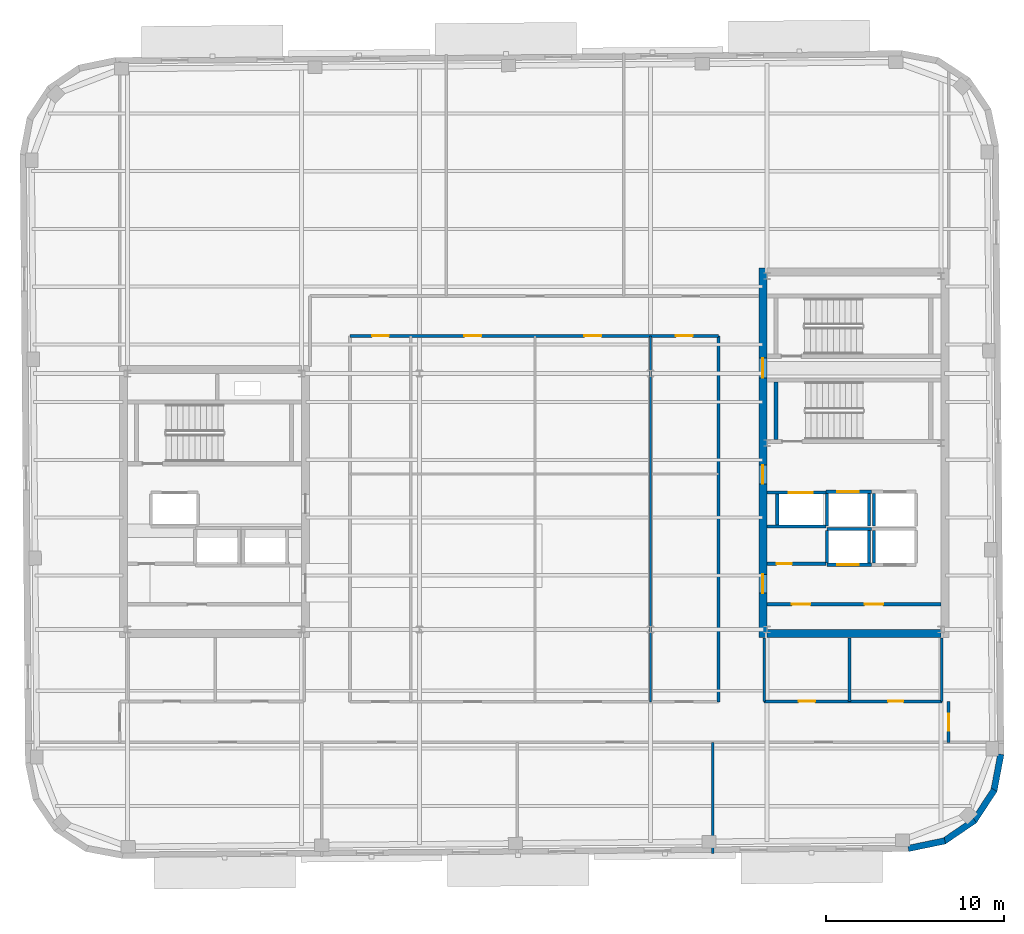
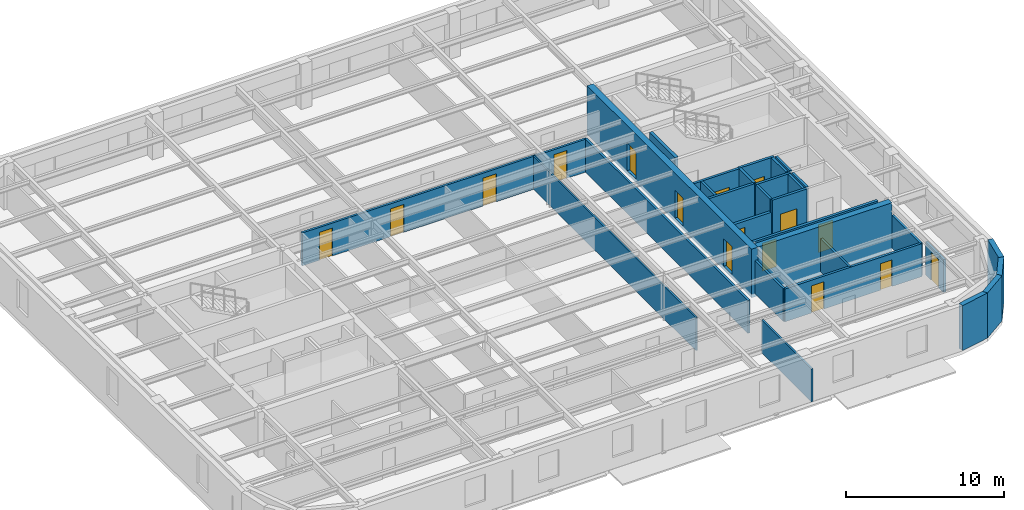
# One storey, part 8 of 14: 30 walls, 16 doors, 16 openings.
"""IFC4 building model written with IfcOpenShell, lengths in metres."""

from ifc_helpers import new_model, si_unit, direction, frame, frame_2d, origin, place, context, subcontext, project, spatial, rectangle, extrude, material, layer, layer_set, type_object, element, fill, save


model = new_model("IFC4")

# Units and contexts
model_context = context("Model", 3, precision=1e-05, world=origin(), true_north=direction((0.0, 1.0)))
body_context = subcontext(model_context, "Body", "Model", "MODEL_VIEW")
ifc_project = project(units=[si_unit("LENGTHUNIT", "METRE"), si_unit("AREAUNIT", "SQUARE_METRE"), si_unit("VOLUMEUNIT", "CUBIC_METRE"), si_unit("PLANEANGLEUNIT", "RADIAN"), si_unit("MASSUNIT", "GRAM", prefix="KILO")], contexts=[model_context])

# Site, building, storey
site_placement = place(None, origin())
site = spatial("IfcSite", under=ifc_project, at=site_placement, CompositionType="ELEMENT")
building_placement = place(site_placement, origin())
building = spatial("IfcBuilding", under=site, at=building_placement, Name="Kolvaren Arena Tower", CompositionType="ELEMENT")
storey_placement = place(building_placement, frame((0.0, 0.0, 289.89990234375)))
storey = spatial("IfcBuildingStorey", under=building, at=storey_placement, Name="L71", CompositionType="ELEMENT", Elevation=289.89990234375)

# Wall, openings, doors
ifc_material_1 = material(Name="Gypsum board acoustic assembly", Category="gypsum")
ifc_layer_1 = layer(ifc_material_1, 0.159912109375)
ifc_layer_set_1 = layer_set([ifc_layer_1], Name="Gypsum board acoustic assembly")
wall_type_1 = type_object("IfcWallType", Name="CORR-160", PredefinedType="PARTITIONING", material=ifc_layer_set_1)
wall_1_placement = place(storey_placement, frame((27.080078125, 35.97998046875, 0.0), z_axis=(0.0, 0.0, 1.0), x_axis=(1.0, 0.0, 0.0)))
wall_1 = element("IfcWall", 1, at=wall_1_placement, inside=storey, type_object=wall_type_1, Name="Interior Partition Wall (L71)", PredefinedType="PARTITIONING", context=body_context, shape_type="SweptSolid", body=[
    extrude(rectangle(XDim=20.739990234375, YDim=0.159912109375, at=frame_2d((10.3701171875, 0.0))), origin(), (0.0, 0.0, 1.0), 2.5400390625),
])
opening_1_placement = place(wall_1_placement, frame((1.2451171875, 0.0, 0.0)))
opening_1 = element("IfcOpeningElement", 2, at=opening_1_placement, cuts=wall_1, Name="Opening D05", PredefinedType="OPENING", context=body_context, shape_type="SweptSolid", body=[
    extrude(rectangle(XDim=0.949951171875, YDim=2.14990234375, at=frame_2d((0.47509765625, 1.074951171875))), frame((0.0, 0.08984375, 0.0), z_axis=(0.0, -1.0, 0.0), x_axis=(1.0, 0.0, 0.0)), (0.0, 0.0, 1.0), 0.179931640625),
])
opening_2_placement = place(wall_1_placement, frame((6.445068359375, 0.0, 0.0)))
opening_2 = element("IfcOpeningElement", 3, at=opening_2_placement, cuts=wall_1, Name="Opening D05", PredefinedType="OPENING", context=body_context, shape_type="SweptSolid", body=[
    extrude(rectangle(XDim=0.949951171875, YDim=2.14990234375, at=frame_2d((0.47509765625, 1.074951171875))), frame((0.0, 0.08984375, 0.0), z_axis=(0.0, -1.0, 0.0), x_axis=(1.0, 0.0, 0.0)), (0.0, 0.0, 1.0), 0.179931640625),
])
opening_3_placement = place(wall_1_placement, frame((13.195068359375, 0.0, 0.0)))
opening_3 = element("IfcOpeningElement", 4, at=opening_3_placement, cuts=wall_1, Name="Opening D05", PredefinedType="OPENING", context=body_context, shape_type="SweptSolid", body=[
    extrude(rectangle(XDim=0.949951171875, YDim=2.14990234375, at=frame_2d((0.47509765625, 1.074951171875))), frame((0.0, 0.08984375, 0.0), z_axis=(0.0, -1.0, 0.0), x_axis=(1.0, 0.0, 0.0)), (0.0, 0.0, 1.0), 0.179931640625),
])
opening_4_placement = place(wall_1_placement, frame((18.344970703125, 0.0, 0.0)))
opening_4 = element("IfcOpeningElement", 5, at=opening_4_placement, cuts=wall_1, Name="Opening D05", PredefinedType="OPENING", context=body_context, shape_type="SweptSolid", body=[
    extrude(rectangle(XDim=0.949951171875, YDim=2.14990234375, at=frame_2d((0.47509765625, 1.074951171875))), frame((0.0, 0.08984375, 0.0), z_axis=(0.0, -1.0, 0.0), x_axis=(1.0, 0.0, 0.0)), (0.0, 0.0, 1.0), 0.179931640625),
])
ifc_material_2 = material(Name="Solid-core oak acoustic office door", Category="wood")
door_type_1 = type_object("IfcDoorType", Name="DOOR-OF-095", OperationType="NOTDEFINED", PredefinedType="DOOR", material=ifc_material_2)
door_1_placement = place(opening_1_placement, origin())
door_1 = element("IfcDoor", 6, at=door_1_placement, inside=storey, type_object=door_type_1, Name="Open Plan Office Door (L71)", OperationType="SINGLE_SWING_RIGHT", OverallHeight=2.14990234375, OverallWidth=0.949951171875, PredefinedType="DOOR", context=body_context, shape_type="SweptSolid", body=[
    extrude(rectangle(XDim=0.949951171875, YDim=2.14990234375, at=frame_2d((0.47509765625, 1.074951171875))), frame((0.0, 0.02490234375, 0.0), z_axis=(0.0, -1.0, 0.0), x_axis=(1.0, 0.0, 0.0)), (0.0, 0.0, 1.0), 0.050048828125),
])
fill(opening_1, door_1)
door_2_placement = place(opening_2_placement, origin())
door_2 = element("IfcDoor", 7, at=door_2_placement, inside=storey, type_object=door_type_1, Name="Design Studio Door (L71)", OperationType="SINGLE_SWING_RIGHT", OverallHeight=2.14990234375, OverallWidth=0.949951171875, PredefinedType="DOOR", context=body_context, shape_type="SweptSolid", body=[
    extrude(rectangle(XDim=0.949951171875, YDim=2.14990234375, at=frame_2d((0.47509765625, 1.074951171875))), frame((0.0, 0.02490234375, 0.0), z_axis=(0.0, -1.0, 0.0), x_axis=(1.0, 0.0, 0.0)), (0.0, 0.0, 1.0), 0.050048828125),
])
fill(opening_2, door_2)
door_3_placement = place(opening_3_placement, origin())
door_3 = element("IfcDoor", 8, at=door_3_placement, inside=storey, type_object=door_type_1, Name="Breakout Pantry and Kitchen Door (L71)", OperationType="SINGLE_SWING_RIGHT", OverallHeight=2.14990234375, OverallWidth=0.949951171875, PredefinedType="DOOR", context=body_context, shape_type="SweptSolid", body=[
    extrude(rectangle(XDim=0.949951171875, YDim=2.14990234375, at=frame_2d((0.47509765625, 1.074951171875))), frame((0.0, 0.02490234375, 0.0), z_axis=(0.0, -1.0, 0.0), x_axis=(1.0, 0.0, 0.0)), (0.0, 0.0, 1.0), 0.050048828125),
])
fill(opening_3, door_3)
door_4_placement = place(opening_4_placement, origin())
door_4 = element("IfcDoor", 9, at=door_4_placement, inside=storey, type_object=door_type_1, Name="Open Plan Office Door (L71)", OperationType="SINGLE_SWING_RIGHT", OverallHeight=2.14990234375, OverallWidth=0.949951171875, PredefinedType="DOOR", context=body_context, shape_type="SweptSolid", body=[
    extrude(rectangle(XDim=0.949951171875, YDim=2.14990234375, at=frame_2d((0.47509765625, 1.074951171875))), frame((0.0, 0.02490234375, 0.0), z_axis=(0.0, -1.0, 0.0), x_axis=(1.0, 0.0, 0.0)), (0.0, 0.0, 1.0), 0.050048828125),
])
fill(opening_4, door_4)

# Wall
wall_2_placement = place(storey_placement, frame((47.820068359375, 15.3798828125, 0.0), z_axis=(0.0, 0.0, 1.0), x_axis=(0.0, 1.0, 0.0)))
element("IfcWall", 10, at=wall_2_placement, inside=storey, type_object=wall_type_1, Name="Interior Partition Wall (L71)", PredefinedType="PARTITIONING", context=body_context, shape_type="SweptSolid", body=[
    extrude(rectangle(XDim=20.60009765625, YDim=0.159912109375, at=frame_2d((10.300048828125, 0.0))), origin(), (0.0, 0.0, 1.0), 2.5400390625),
])

# Wall, opening, door
wall_3_placement = place(storey_placement, frame((60.780029296875, 13.10009765625, 0.0), z_axis=(0.0, 0.0, 1.0), x_axis=(0.0, 1.0, 0.0)))
wall_3 = element("IfcWall", 11, at=wall_3_placement, inside=storey, type_object=wall_type_1, Name="Interior Partition Wall (L71)", PredefinedType="PARTITIONING", context=body_context, shape_type="SweptSolid", body=[
    extrude(rectangle(XDim=2.2998046875, YDim=0.159912109375, at=frame_2d((1.14990234375, 0.0))), origin(), (0.0, 0.0, 1.0), 2.5400390625),
])
opening_5_placement = place(wall_3_placement, frame((0.64990234375, 0.0, 0.0)))
opening_5 = element("IfcOpeningElement", 12, at=opening_5_placement, cuts=wall_3, Name="Opening D05", PredefinedType="OPENING", context=body_context, shape_type="SweptSolid", body=[
    extrude(rectangle(XDim=0.949951171875, YDim=2.14990234375, at=frame_2d((0.47509765625, 1.074951171875))), frame((0.0, 0.08984375, 0.0), z_axis=(0.0, -1.0, 0.0), x_axis=(1.0, 0.0, 0.0)), (0.0, 0.0, 1.0), 0.179931640625),
])
door_5_placement = place(opening_5_placement, origin())
door_5 = element("IfcDoor", 13, at=door_5_placement, inside=storey, type_object=door_type_1, Name="East Wing Studio Door (L71)", OperationType="SINGLE_SWING_RIGHT", OverallHeight=2.14990234375, OverallWidth=0.949951171875, PredefinedType="DOOR", context=body_context, shape_type="SweptSolid", body=[
    extrude(rectangle(XDim=0.949951171875, YDim=2.14990234375, at=frame_2d((0.47509765625, 1.074951171875))), frame((0.0, 0.02490234375, 0.0), z_axis=(0.0, -1.0, 0.0), x_axis=(1.0, 0.0, 0.0)), (0.0, 0.0, 1.0), 0.050048828125),
])
fill(opening_5, door_5)

# Wall, openings, doors
ifc_material_3 = material(Name="Concrete 55 MPa", Category="concrete")
ifc_layer_2 = layer(ifc_material_3, 0.449951171875)
ifc_layer_set_2 = layer_set([ifc_layer_2], Name="Concrete 55 MPa")
wall_type_2 = type_object("IfcWallType", Name="CWALL-450", PredefinedType="SHEAR", material=ifc_layer_set_2)
wall_4_placement = place(storey_placement, frame((50.324951171875, 19.0, -0.27001953125), z_axis=(0.0, 0.0, 1.0), x_axis=(0.0, 1.0, 0.0)))
wall_4 = element("IfcWall", 14, at=wall_4_placement, inside=storey, type_object=wall_type_2, Name="Core Shear Wall EC-WEST (L71)", PredefinedType="SHEAR", context=body_context, shape_type="SweptSolid", body=[
    extrude(rectangle(XDim=20.800048828125, YDim=0.449951171875, at=frame_2d((10.39990234375, 0.0))), origin(), (0.0, 0.0, 1.0), 3.75),
])
opening_6_placement = place(wall_4_placement, frame((2.5, 0.0, 0.27001953125)))
opening_6 = element("IfcOpeningElement", 15, at=opening_6_placement, cuts=wall_4, Name="Opening D04", PredefinedType="OPENING", context=body_context, shape_type="SweptSolid", body=[
    extrude(rectangle(XDim=1.050048828125, YDim=2.14990234375, at=frame_2d((0.52490234375, 1.074951171875))), frame((0.0, 0.23486328125, 0.0), z_axis=(0.0, -1.0, 0.0), x_axis=(1.0, 0.0, 0.0)), (0.0, 0.0, 1.0), 0.469970703125),
])
opening_7_placement = place(wall_4_placement, frame((8.64990234375, 0.0, 0.27001953125)))
opening_7 = element("IfcOpeningElement", 16, at=opening_7_placement, cuts=wall_4, Name="Opening D04", PredefinedType="OPENING", context=body_context, shape_type="SweptSolid", body=[
    extrude(rectangle(XDim=1.050048828125, YDim=2.14990234375, at=frame_2d((0.52490234375, 1.074951171875))), frame((0.0, 0.23486328125, 0.0), z_axis=(0.0, -1.0, 0.0), x_axis=(1.0, 0.0, 0.0)), (0.0, 0.0, 1.0), 0.469970703125),
])
opening_8_placement = place(wall_4_placement, frame((14.6201171875, 0.0, 0.27001953125)))
opening_8 = element("IfcOpeningElement", 17, at=opening_8_placement, cuts=wall_4, Name="Opening D03", PredefinedType="OPENING", context=body_context, shape_type="SweptSolid", body=[
    extrude(rectangle(XDim=1.10009765625, YDim=2.14990234375, at=frame_2d((0.550048828125, 1.074951171875))), frame((0.0, 0.23486328125, 0.0), z_axis=(0.0, -1.0, 0.0), x_axis=(1.0, 0.0, 0.0)), (0.0, 0.0, 1.0), 0.469970703125),
])
ifc_material_4 = material(Name="Fire-rated steel lobby door", Category="steel")
door_type_2 = type_object("IfcDoorType", Name="DOOR-FF-105", OperationType="NOTDEFINED", PredefinedType="DOOR", material=ifc_material_4)
door_6_placement = place(opening_6_placement, origin())
door_6 = element("IfcDoor", 18, at=door_6_placement, inside=storey, type_object=door_type_2, Name="East Lift Lobby Fire Door (L71)", OperationType="SINGLE_SWING_RIGHT", OverallHeight=2.14990234375, OverallWidth=1.050048828125, PredefinedType="DOOR", context=body_context, shape_type="SweptSolid", body=[
    extrude(rectangle(XDim=1.050048828125, YDim=2.14990234375, at=frame_2d((0.52490234375, 1.074951171875))), frame((0.0, 0.02490234375, 0.0), z_axis=(0.0, -1.0, 0.0), x_axis=(1.0, 0.0, 0.0)), (0.0, 0.0, 1.0), 0.050048828125),
])
fill(opening_6, door_6)
door_7_placement = place(opening_7_placement, origin())
door_7 = element("IfcDoor", 19, at=door_7_placement, inside=storey, type_object=door_type_2, Name="East Firefighter Vestibule Door (L71)", OperationType="SINGLE_SWING_LEFT", OverallHeight=2.14990234375, OverallWidth=1.050048828125, PredefinedType="DOOR", context=body_context, shape_type="SweptSolid", body=[
    extrude(rectangle(XDim=1.050048828125, YDim=2.14990234375, at=frame_2d((0.52490234375, 1.074951171875))), frame((0.0, 0.02490234375, 0.0), z_axis=(0.0, -1.0, 0.0), x_axis=(1.0, 0.0, 0.0)), (0.0, 0.0, 1.0), 0.050048828125),
])
fill(opening_7, door_7)
ifc_material_5 = material(Name="Fire-rated steel exit stair door", Category="steel")
door_type_3 = type_object("IfcDoorType", Name="DOOR-ST-110", OperationType="NOTDEFINED", PredefinedType="DOOR", material=ifc_material_5)
door_8_placement = place(opening_8_placement, origin())
door_8 = element("IfcDoor", 20, at=door_8_placement, inside=storey, type_object=door_type_3, Name="Stair ST-E2 Vestibule Fire Door (L71)", OperationType="SINGLE_SWING_LEFT", OverallHeight=2.14990234375, OverallWidth=1.10009765625, PredefinedType="DOOR", context=body_context, shape_type="SweptSolid", body=[
    extrude(rectangle(XDim=1.10009765625, YDim=2.14990234375, at=frame_2d((0.550048828125, 1.074951171875))), frame((0.0, 0.02490234375, 0.0), z_axis=(0.0, -1.0, 0.0), x_axis=(1.0, 0.0, 0.0)), (0.0, 0.0, 1.0), 0.050048828125),
])
fill(opening_8, door_8)

# Walls
wall_5_placement = place(storey_placement, frame((50.550048828125, 19.22509765625, -0.27001953125), z_axis=(0.0, 0.0, 1.0), x_axis=(1.0, 0.0, 0.0)))
element("IfcWall", 21, at=wall_5_placement, inside=storey, type_object=wall_type_2, Name="Core Shear Wall EC-SOUTH (L71)", PredefinedType="SHEAR", context=body_context, shape_type="SweptSolid", body=[
    extrude(rectangle(XDim=9.800048828125, YDim=0.449951171875, at=frame_2d((4.89990234375, 0.0))), origin(), (0.0, 0.0, 1.0), 3.75),
])
ifc_material_6 = material(Name="Precast concrete C50/60", Category="concrete")
ifc_layer_3 = layer(ifc_material_6, 0.360107421875)
ifc_layer_set_3 = layer_set([ifc_layer_3], Name="Precast concrete C50/60")
wall_type_3 = type_object("IfcWallType", Name="EXT-PIER2", PredefinedType="SOLIDWALL", material=ifc_layer_set_3)
wall_6_placement = place(storey_placement, frame((60.572265625, 7.54931640625, 0.0), z_axis=(0.0, 0.0, 1.0), x_axis=(-0.979059388908, -0.203574833883, 0.0)))
element("IfcWall", 22, at=wall_6_placement, inside=storey, type_object=wall_type_3, Name="Exterior Precast Masonry-Frame Wall (L71)", PredefinedType="SOLIDWALL", context=body_context, shape_type="SweptSolid", body=[
    extrude(rectangle(XDim=2.107177734375, YDim=0.360107421875, at=frame_2d((1.0537109375, 0.0))), origin(), (0.0, 0.0, 1.0), 3.47998046875),
])
for number, where, z_axis, x_axis, name in (
    (23, (62.2490234375, 8.707763671875, 0.0), (0.0, 0.0, 1.0), (-0.826572866302, -0.562829722645, 0.0), "Exterior Precast Masonry-Frame Wall (L71)"),
    (24, (63.35498046875, 10.419921875, 0.0), (0.0, 0.0, 1.0), (-0.54818559406, -0.836356714844, 0.0), "Exterior Precast Masonry-Frame Wall (L71)"),
    (25, (63.7216796875, 12.4248046875, 0.0), (0.0, 0.0, 1.0), (-0.186435855703, -0.98246713518, 0.0), "Exterior Precast Masonry-Frame Wall (L71)"),
):
    element("IfcWall", number, at=place(storey_placement, frame(where, z_axis=z_axis, x_axis=x_axis)), inside=storey, type_object=wall_type_3, Name=name, PredefinedType="SOLIDWALL", context=body_context, shape_type="SweptSolid", body=[
        extrude(rectangle(XDim=2.10693359375, YDim=0.360107421875, at=frame_2d((1.053466796875, 0.0))), origin(), (0.0, 0.0, 1.0), 3.47998046875),
    ])

# Wall, openings, doors
ifc_material_7 = material(Name="Concrete 40 MPa", Category="concrete")
ifc_layer_4 = layer(ifc_material_7, 0.199951171875)
ifc_layer_set_4 = layer_set([ifc_layer_4], Name="Concrete 40 MPa")
wall_type_4 = type_object("IfcWallType", Name="LOBBY-200", PredefinedType="SOLIDWALL", material=ifc_layer_set_4)
wall_7_placement = place(storey_placement, frame((50.550048828125, 20.8798828125, 0.0), z_axis=(0.0, 0.0, 1.0), x_axis=(1.0, 0.0, 0.0)))
wall_7 = element("IfcWall", 26, at=wall_7_placement, inside=storey, type_object=wall_type_4, Name="Core Shaft Wall (L71)", PredefinedType="SOLIDWALL", context=body_context, shape_type="SweptSolid", body=[
    extrude(rectangle(XDim=9.800048828125, YDim=0.199951171875, at=frame_2d((4.89990234375, 0.0))), origin(), (0.0, 0.0, 1.0), 2.5400390625),
])
opening_9_placement = place(wall_7_placement, frame((1.39990234375, 0.0, 0.0)))
opening_9 = element("IfcOpeningElement", 27, at=opening_9_placement, cuts=wall_7, Name="Opening D04", PredefinedType="OPENING", context=body_context, shape_type="SweptSolid", body=[
    extrude(rectangle(XDim=1.050048828125, YDim=2.14990234375, at=frame_2d((0.52490234375, 1.074951171875))), frame((0.0, 0.10986328125, 0.0), z_axis=(0.0, -1.0, 0.0), x_axis=(1.0, 0.0, 0.0)), (0.0, 0.0, 1.0), 0.219970703125),
])
opening_10_placement = place(wall_7_placement, frame((5.5, 0.0, 0.0)))
opening_10 = element("IfcOpeningElement", 28, at=opening_10_placement, cuts=wall_7, Name="Opening D04", PredefinedType="OPENING", context=body_context, shape_type="SweptSolid", body=[
    extrude(rectangle(XDim=1.050048828125, YDim=2.14990234375, at=frame_2d((0.52490234375, 1.074951171875))), frame((0.0, 0.10986328125, 0.0), z_axis=(0.0, -1.0, 0.0), x_axis=(1.0, 0.0, 0.0)), (0.0, 0.0, 1.0), 0.219970703125),
])
door_9_placement = place(opening_9_placement, origin())
door_9 = element("IfcDoor", 29, at=door_9_placement, inside=storey, type_object=door_type_2, Name="East Telecom Room Fire Door (L71)", OperationType="SINGLE_SWING_RIGHT", OverallHeight=2.14990234375, OverallWidth=1.050048828125, PredefinedType="DOOR", context=body_context, shape_type="SweptSolid", body=[
    extrude(rectangle(XDim=1.050048828125, YDim=2.14990234375, at=frame_2d((0.52490234375, 1.074951171875))), frame((0.0, 0.02490234375, 0.0), z_axis=(0.0, -1.0, 0.0), x_axis=(1.0, 0.0, 0.0)), (0.0, 0.0, 1.0), 0.050048828125),
])
fill(opening_9, door_9)
door_10_placement = place(opening_10_placement, origin())
door_10 = element("IfcDoor", 30, at=door_10_placement, inside=storey, type_object=door_type_2, Name="East Records Room Fire Door (L71)", OperationType="SINGLE_SWING_LEFT", OverallHeight=2.14990234375, OverallWidth=1.050048828125, PredefinedType="DOOR", context=body_context, shape_type="SweptSolid", body=[
    extrude(rectangle(XDim=1.050048828125, YDim=2.14990234375, at=frame_2d((0.52490234375, 1.074951171875))), frame((0.0, 0.02490234375, 0.0), z_axis=(0.0, -1.0, 0.0), x_axis=(1.0, 0.0, 0.0)), (0.0, 0.0, 1.0), 0.050048828125),
])
fill(opening_10, door_10)

# Wall, opening, door
wall_8_placement = place(storey_placement, frame((50.550048828125, 23.159912109375, 0.0), z_axis=(0.0, 0.0, 1.0), x_axis=(1.0, 0.0, 0.0)))
wall_8 = element("IfcWall", 31, at=wall_8_placement, inside=storey, type_object=wall_type_4, Name="Core Shaft Wall (L71)", PredefinedType="SOLIDWALL", context=body_context, shape_type="SweptSolid", body=[
    extrude(rectangle(XDim=3.329833984375, YDim=0.199951171875, at=frame_2d((1.6650390625, 0.0))), origin(), (0.0, 0.0, 1.0), 2.5400390625),
])
opening_11_placement = place(wall_8_placement, frame((0.550048828125, 0.0, 0.0)))
opening_11 = element("IfcOpeningElement", 32, at=opening_11_placement, cuts=wall_8, Name="Opening D09", PredefinedType="OPENING", context=body_context, shape_type="SweptSolid", body=[
    extrude(rectangle(XDim=0.860107421875, YDim=2.050048828125, at=frame_2d((0.43017578125, 1.02490234375))), frame((0.0, 0.10986328125, 0.0), z_axis=(0.0, -1.0, 0.0), x_axis=(1.0, 0.0, 0.0)), (0.0, 0.0, 1.0), 0.219970703125),
])
ifc_material_8 = material(Name="Fire-rated steel riser access door", Category="steel")
door_type_4 = type_object("IfcDoorType", Name="DOOR-RS-086", OperationType="NOTDEFINED", PredefinedType="DOOR", material=ifc_material_8)
door_11_placement = place(opening_11_placement, origin())
door_11 = element("IfcDoor", 33, at=door_11_placement, inside=storey, type_object=door_type_4, Name="East AV Riser Closet Door (L71)", OperationType="SINGLE_SWING_LEFT", OverallHeight=2.050048828125, OverallWidth=0.860107421875, PredefinedType="DOOR", context=body_context, shape_type="SweptSolid", body=[
    extrude(rectangle(XDim=0.860107421875, YDim=2.050048828125, at=frame_2d((0.43017578125, 1.02490234375))), frame((0.0, 0.02490234375, 0.0), z_axis=(0.0, -1.0, 0.0), x_axis=(1.0, 0.0, 0.0)), (0.0, 0.0, 1.0), 0.050048828125),
])
fill(opening_11, door_11)

# Walls
ifc_material_9 = material(Name="Gypsum board partition assembly", Category="gypsum")
ifc_layer_5 = layer(ifc_material_9, 0.114990234375)
ifc_layer_set_5 = layer_set([ifc_layer_5], Name="Gypsum board partition assembly")
wall_type_5 = type_object("IfcWallType", Name="PART-115", PredefinedType="PARTITIONING", material=ifc_layer_set_5)
wall_9_placement = place(storey_placement, frame((44.0, 15.3798828125, 0.0), z_axis=(0.0, 0.0, 1.0), x_axis=(0.0, 1.0, 0.0)))
element("IfcWall", 34, at=wall_9_placement, inside=storey, type_object=wall_type_5, Name="Interior Partition Wall (L71)", PredefinedType="PARTITIONING", context=body_context, shape_type="SweptSolid", body=[
    extrude(rectangle(XDim=20.60009765625, YDim=0.114990234375, at=frame_2d((10.300048828125, 0.0))), origin(), (0.0, 0.0, 1.0), 2.5400390625),
])
ifc_layer_6 = layer(ifc_material_9, 0.135009765625)
ifc_layer_set_6 = layer_set([ifc_layer_6], Name="Gypsum board partition assembly")
wall_type_6 = type_object("IfcWallType", Name="PART-135", PredefinedType="PARTITIONING", material=ifc_layer_set_6)
wall_10_placement = place(storey_placement, frame((47.5, 6.847900390625, 0.0), z_axis=(0.0, 0.0, 1.0), x_axis=(0.0, 1.0, 0.0)))
element("IfcWall", 35, at=wall_10_placement, inside=storey, type_object=wall_type_6, Name="Interior Partition Wall (L71)", PredefinedType="PARTITIONING", context=body_context, shape_type="SweptSolid", body=[
    extrude(rectangle(XDim=6.252197265625, YDim=0.135009765625, at=frame_2d((3.1259765625, 0.0))), origin(), (0.0, 0.0, 1.0), 2.5400390625),
])
ifc_material_10 = material(Name="Concrete 45 MPa", Category="concrete")
ifc_layer_7 = layer(ifc_material_10, 0.25)
ifc_layer_set_7 = layer_set([ifc_layer_7], Name="Concrete 45 MPa")
wall_type_7 = type_object("IfcWallType", Name="SHAFT-250", PredefinedType="SOLIDWALL", material=ifc_layer_set_7)
wall_11_placement = place(storey_placement, frame((51.06005859375, 30.14990234375, 0.0), z_axis=(0.0, 0.0, 1.0), x_axis=(0.0, 1.0, 0.0)))
element("IfcWall", 36, at=wall_11_placement, inside=storey, type_object=wall_type_7, Name="Core Shaft Wall (L71)", PredefinedType="SOLIDWALL", context=body_context, shape_type="SweptSolid", body=[
    extrude(rectangle(XDim=3.22998046875, YDim=0.239990234375, at=frame_2d((1.614990234375, 0.0))), origin(), (0.0, 0.0, 1.0), 3.47998046875),
])
wall_12_placement = place(storey_placement, frame((53.93994140625, 25.10498046875, 0.0), z_axis=(0.0, 0.0, 1.0), x_axis=(1.0, 0.0, 0.0)))
element("IfcWall", 37, at=wall_12_placement, inside=storey, type_object=wall_type_7, Name="Core Shaft Wall (L71)", PredefinedType="SOLIDWALL", context=body_context, shape_type="SweptSolid", body=[
    extrude(rectangle(XDim=2.5, YDim=0.179931640625, at=frame_2d((1.25, 0.0))), origin(), (0.0, 0.0, 1.0), 3.47998046875),
])

# Wall, opening, door
wall_13_placement = place(storey_placement, frame((53.93994140625, 23.094970703125, 0.0), z_axis=(0.0, 0.0, 1.0), x_axis=(1.0, 0.0, 0.0)))
wall_13 = element("IfcWall", 38, at=wall_13_placement, inside=storey, type_object=wall_type_7, Name="Core Shaft Wall (L71)", PredefinedType="SOLIDWALL", context=body_context, shape_type="SweptSolid", body=[
    extrude(rectangle(XDim=2.5, YDim=0.179931640625, at=frame_2d((1.25, 0.0))), origin(), (0.0, 0.0, 1.0), 3.47998046875),
])
opening_12_placement = place(wall_13_placement, frame((0.580078125, 0.0, 0.0)))
opening_12 = element("IfcOpeningElement", 39, at=opening_12_placement, cuts=wall_13, Name="Opening LD1", PredefinedType="OPENING", context=body_context, shape_type="SweptSolid", body=[
    extrude(rectangle(XDim=1.199951171875, YDim=2.199951171875, at=frame_2d((0.60009765625, 1.10009765625))), frame((0.0, 0.099853515625, 0.0), z_axis=(0.0, -1.0, 0.0), x_axis=(1.0, 0.0, 0.0)), (0.0, 0.0, 1.0), 0.199951171875),
])
ifc_material_11 = material(Name="Stainless steel passenger lift landing door", Category="steel")
door_type_5 = type_object("IfcDoorType", Name="DOOR-LD-120", OperationType="DOUBLE_DOOR_SLIDING", PredefinedType="DOOR", material=ifc_material_11)
door_12_placement = place(opening_12_placement, origin())
door_12 = element("IfcDoor", 40, at=door_12_placement, inside=storey, type_object=door_type_5, Name="Lift EL-HR1 Landing Door (L71)", OperationType="DOUBLE_DOOR_SLIDING", OverallHeight=2.199951171875, OverallWidth=1.199951171875, PredefinedType="DOOR", context=body_context, shape_type="SweptSolid", body=[
    extrude(rectangle(XDim=1.199951171875, YDim=2.199951171875, at=frame_2d((0.60009765625, 1.10009765625))), frame((0.0, 0.02490234375, 0.0), z_axis=(0.0, -1.0, 0.0), x_axis=(1.0, 0.0, 0.0)), (0.0, 0.0, 1.0), 0.050048828125),
])
fill(opening_12, door_12)

# Walls
for number, where, z_axis, x_axis, name in (
    (41, (53.93994140625, 23.18505859375, 0.0), (0.0, 0.0, 1.0), (0.0, 1.0, 0.0), "Core Shaft Wall (L71)"),
    (42, (56.300048828125, 23.18505859375, 0.0), (0.0, 0.0, 1.0), (0.0, 1.0, 0.0), "Core Shaft Wall (L71)"),
    (43, (56.580078125, 23.18505859375, 0.0), (0.0, 0.0, 1.0), (0.0, 1.0, 0.0), "Core Shaft Wall (L71)"),
):
    element("IfcWall", number, at=place(storey_placement, frame(where, z_axis=z_axis, x_axis=x_axis)), inside=storey, type_object=wall_type_7, Name=name, PredefinedType="SOLIDWALL", context=body_context, shape_type="SweptSolid", body=[
        extrude(rectangle(XDim=1.829833984375, YDim=0.179931640625, at=frame_2d((0.9150390625, 0.0))), origin(), (0.0, 0.0, 1.0), 3.47998046875),
    ])

# Wall, opening, door
wall_14_placement = place(storey_placement, frame((53.864990234375, 27.205078125, 0.0), z_axis=(0.0, 0.0, 1.0), x_axis=(1.0, 0.0, 0.0)))
wall_14 = element("IfcWall", 44, at=wall_14_placement, inside=storey, type_object=wall_type_7, Name="Core Shaft Wall (L71)", PredefinedType="SOLIDWALL", context=body_context, shape_type="SweptSolid", body=[
    extrude(rectangle(XDim=2.574951171875, YDim=0.179931640625, at=frame_2d((1.28759765625, 0.0))), origin(), (0.0, 0.0, 1.0), 3.47998046875),
])
opening_13_placement = place(wall_14_placement, frame((0.655029296875, 0.0, 0.0)))
opening_13 = element("IfcOpeningElement", 45, at=opening_13_placement, cuts=wall_14, Name="Opening LD1", PredefinedType="OPENING", context=body_context, shape_type="SweptSolid", body=[
    extrude(rectangle(XDim=1.199951171875, YDim=2.199951171875, at=frame_2d((0.60009765625, 1.10009765625))), frame((0.0, 0.099853515625, 0.0), z_axis=(0.0, -1.0, 0.0), x_axis=(1.0, 0.0, 0.0)), (0.0, 0.0, 1.0), 0.199951171875),
])
door_13_placement = place(opening_13_placement, origin())
door_13 = element("IfcDoor", 46, at=door_13_placement, inside=storey, type_object=door_type_5, Name="Lift EL-HR3 Landing Door (L71)", OperationType="DOUBLE_DOOR_SLIDING", OverallHeight=2.199951171875, OverallWidth=1.199951171875, PredefinedType="DOOR", context=body_context, shape_type="SweptSolid", body=[
    extrude(rectangle(XDim=1.199951171875, YDim=2.199951171875, at=frame_2d((0.60009765625, 1.10009765625))), frame((0.0, 0.02490234375, 0.0), z_axis=(0.0, -1.0, 0.0), x_axis=(1.0, 0.0, 0.0)), (0.0, 0.0, 1.0), 0.050048828125),
])
fill(opening_13, door_13)

# Walls
for number, where, z_axis, x_axis, name in (
    (47, (53.93994140625, 25.284912109375, 0.0), (0.0, 0.0, 1.0), (0.0, 1.0, 0.0), "Core Shaft Wall (L71)"),
    (48, (56.300048828125, 25.284912109375, 0.0), (0.0, 0.0, 1.0), (0.0, 1.0, 0.0), "Core Shaft Wall (L71)"),
    (49, (56.580078125, 25.284912109375, 0.0), (0.0, 0.0, 1.0), (0.0, 1.0, 0.0), "Core Shaft Wall (L71)"),
):
    element("IfcWall", number, at=place(storey_placement, frame(where, z_axis=z_axis, x_axis=x_axis)), inside=storey, type_object=wall_type_7, Name=name, PredefinedType="SOLIDWALL", context=body_context, shape_type="SweptSolid", body=[
        extrude(rectangle(XDim=1.830078125, YDim=0.179931640625, at=frame_2d((0.9150390625, 0.0))), origin(), (0.0, 0.0, 1.0), 3.47998046875),
    ])

# Wall, opening, door
wall_15_placement = place(storey_placement, frame((50.550048828125, 27.155029296875, 0.0), z_axis=(0.0, 0.0, 1.0), x_axis=(1.0, 0.0, 0.0)))
wall_15 = element("IfcWall", 50, at=wall_15_placement, inside=storey, type_object=wall_type_7, Name="Core Shaft Wall (L71)", PredefinedType="SOLIDWALL", context=body_context, shape_type="SweptSolid", body=[
    extrude(rectangle(XDim=3.31494140625, YDim=0.179931640625, at=frame_2d((1.657470703125, 0.0))), origin(), (0.0, 0.0, 1.0), 3.47998046875),
])
opening_14_placement = place(wall_15_placement, frame((1.235107421875, 0.0, 0.0)))
opening_14 = element("IfcOpeningElement", 51, at=opening_14_placement, cuts=wall_15, Name="Opening LD2", PredefinedType="OPENING", context=body_context, shape_type="SweptSolid", body=[
    extrude(rectangle(XDim=1.35009765625, YDim=2.300048828125, at=frame_2d((0.675048828125, 1.14990234375))), frame((0.0, 0.099853515625, 0.0), z_axis=(0.0, -1.0, 0.0), x_axis=(1.0, 0.0, 0.0)), (0.0, 0.0, 1.0), 0.199951171875),
])
ifc_material_12 = material(Name="Stainless steel firefighter lift landing door", Category="steel")
door_type_6 = type_object("IfcDoorType", Name="DOOR-LD-135", OperationType="DOUBLE_DOOR_SLIDING", PredefinedType="DOOR", material=ifc_material_12)
door_14_placement = place(opening_14_placement, origin())
door_14 = element("IfcDoor", 52, at=door_14_placement, inside=storey, type_object=door_type_6, Name="Firefighter Lift FF-E1 Landing Door (L71)", OperationType="DOUBLE_DOOR_SLIDING", OverallHeight=2.300048828125, OverallWidth=1.35009765625, PredefinedType="DOOR", context=body_context, shape_type="SweptSolid", body=[
    extrude(rectangle(XDim=1.35009765625, YDim=2.300048828125, at=frame_2d((0.675048828125, 1.14990234375))), frame((0.0, 0.02490234375, 0.0), z_axis=(0.0, -1.0, 0.0), x_axis=(1.0, 0.0, 0.0)), (0.0, 0.0, 1.0), 0.050048828125),
])
fill(opening_14, door_14)

# Walls
wall_16_placement = place(storey_placement, frame((50.550048828125, 25.2451171875, 0.0), z_axis=(0.0, 0.0, 1.0), x_axis=(1.0, 0.0, 0.0)))
element("IfcWall", 53, at=wall_16_placement, inside=storey, type_object=wall_type_7, Name="Core Shaft Wall (L71)", PredefinedType="SOLIDWALL", context=body_context, shape_type="SweptSolid", body=[
    extrude(rectangle(XDim=3.31494140625, YDim=0.179931640625, at=frame_2d((1.657470703125, 0.0))), origin(), (0.0, 0.0, 1.0), 3.47998046875),
])
wall_17_placement = place(storey_placement, frame((51.1298828125, 25.3349609375, 0.0), z_axis=(0.0, 0.0, 1.0), x_axis=(0.0, 1.0, 0.0)))
element("IfcWall", 54, at=wall_17_placement, inside=storey, type_object=wall_type_7, Name="Core Shaft Wall (L71)", PredefinedType="SOLIDWALL", context=body_context, shape_type="SweptSolid", body=[
    extrude(rectangle(XDim=1.72998046875, YDim=0.179931640625, at=frame_2d((0.864990234375, 0.0))), origin(), (0.0, 0.0, 1.0), 3.47998046875),
])

# Wall, openings, doors
wall_18_placement = place(storey_placement, frame((50.39990234375, 15.39990234375, 0.0), z_axis=(0.0, 0.0, 1.0), x_axis=(1.0, 0.0, 0.0)))
wall_18 = element("IfcWall", 55, at=wall_18_placement, inside=storey, type_object=wall_type_7, Name="Interior Partition Wall (L71)", PredefinedType="SOLIDWALL", context=body_context, shape_type="SweptSolid", body=[
    extrude(rectangle(XDim=10.0, YDim=0.179931640625, at=frame_2d((5.0, 0.0))), origin(), (0.0, 0.0, 1.0), 2.5400390625),
])
opening_15_placement = place(wall_18_placement, frame((1.93994140625, 0.0, 0.0)))
opening_15 = element("IfcOpeningElement", 56, at=opening_15_placement, cuts=wall_18, Name="Opening D07", PredefinedType="OPENING", context=body_context, shape_type="SweptSolid", body=[
    extrude(rectangle(XDim=0.919921875, YDim=2.10009765625, at=frame_2d((0.4599609375, 1.050048828125))), frame((0.0, 0.099853515625, 0.0), z_axis=(0.0, -1.0, 0.0), x_axis=(1.0, 0.0, 0.0)), (0.0, 0.0, 1.0), 0.199951171875),
])
opening_16_placement = place(wall_18_placement, frame((6.969970703125, 0.0, 0.0)))
opening_16 = element("IfcOpeningElement", 57, at=opening_16_placement, cuts=wall_18, Name="Opening D09", PredefinedType="OPENING", context=body_context, shape_type="SweptSolid", body=[
    extrude(rectangle(XDim=0.860107421875, YDim=2.050048828125, at=frame_2d((0.43017578125, 1.02490234375))), frame((0.0, 0.099853515625, 0.0), z_axis=(0.0, -1.0, 0.0), x_axis=(1.0, 0.0, 0.0)), (0.0, 0.0, 1.0), 0.199951171875),
])
door_15_placement = place(opening_16_placement, origin())
door_15 = element("IfcDoor", 58, at=door_15_placement, inside=storey, type_object=door_type_4, Name="Electrical Riser Closet Door (L71)", OperationType="SINGLE_SWING_RIGHT", OverallHeight=2.050048828125, OverallWidth=0.860107421875, PredefinedType="DOOR", context=body_context, shape_type="SweptSolid", body=[
    extrude(rectangle(XDim=0.860107421875, YDim=2.050048828125, at=frame_2d((0.43017578125, 1.02490234375))), frame((0.0, 0.02490234375, 0.0), z_axis=(0.0, -1.0, 0.0), x_axis=(1.0, 0.0, 0.0)), (0.0, 0.0, 1.0), 0.050048828125),
])
fill(opening_16, door_15)
ifc_material_13 = material(Name="Laminate universal washroom door", Category="wood")
door_type_7 = type_object("IfcDoorType", Name="DOOR-WC-092", OperationType="NOTDEFINED", PredefinedType="DOOR", material=ifc_material_13)
door_16_placement = place(opening_15_placement, origin())
door_16 = element("IfcDoor", 59, at=door_16_placement, inside=storey, type_object=door_type_7, Name="Cleaner and Janitor Store Door (L71)", OperationType="SINGLE_SWING_LEFT", OverallHeight=2.10009765625, OverallWidth=0.919921875, PredefinedType="DOOR", context=body_context, shape_type="SweptSolid", body=[
    extrude(rectangle(XDim=0.919921875, YDim=2.10009765625, at=frame_2d((0.4599609375, 1.050048828125))), frame((0.0, 0.02490234375, 0.0), z_axis=(0.0, -1.0, 0.0), x_axis=(1.0, 0.0, 0.0)), (0.0, 0.0, 1.0), 0.050048828125),
])
fill(opening_15, door_16)

# Walls
ifc_material_14 = material(Name="Moisture-resistant gypsum assembly", Category="gypsum")
ifc_layer_8 = layer(ifc_material_14, 0.14990234375)
ifc_layer_set_8 = layer_set([ifc_layer_8], Name="Moisture-resistant gypsum assembly")
wall_type_8 = type_object("IfcWallType", Name="WETW-150", PredefinedType="PARTITIONING", material=ifc_layer_set_8)
for number, where, z_axis, x_axis, name in (
    (60, (55.199951171875, 15.39990234375, 0.0), (0.0, 0.0, 1.0), (0.0, 1.0, 0.0), "Interior Partition Wall (L71)"),
    (61, (50.39990234375, 15.39990234375, 0.0), (0.0, 0.0, 1.0), (0.0, 1.0, 0.0), "Interior Partition Wall (L71)"),
    (62, (60.39990234375, 15.39990234375, 0.0), (0.0, 0.0, 1.0), (0.0, 1.0, 0.0), "Interior Partition Wall (L71)"),
):
    element("IfcWall", number, at=place(storey_placement, frame(where, z_axis=z_axis, x_axis=x_axis)), inside=storey, type_object=wall_type_8, Name=name, PredefinedType="PARTITIONING", context=body_context, shape_type="SweptSolid", body=[
        extrude(rectangle(XDim=3.580078125, YDim=0.14990234375, at=frame_2d((1.7900390625, 0.0))), origin(), (0.0, 0.0, 1.0), 2.5400390625),
    ])

save(model, "model.ifc")
